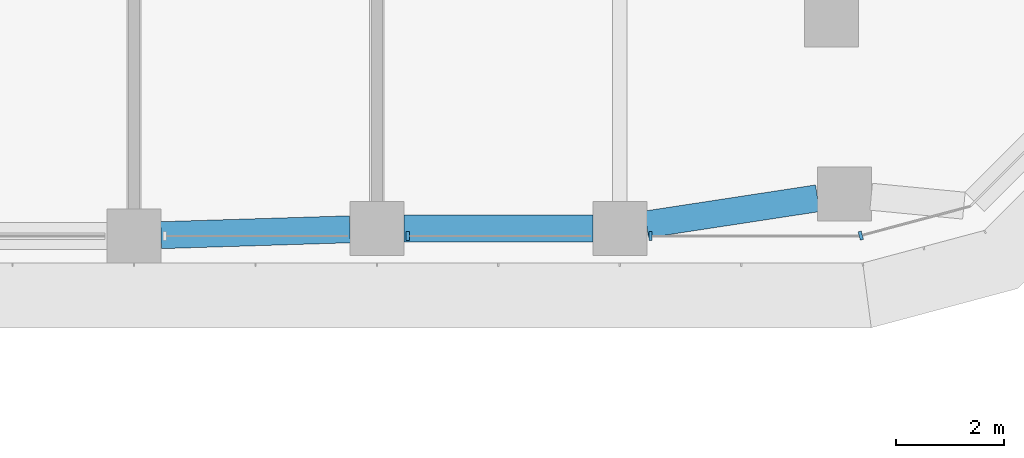
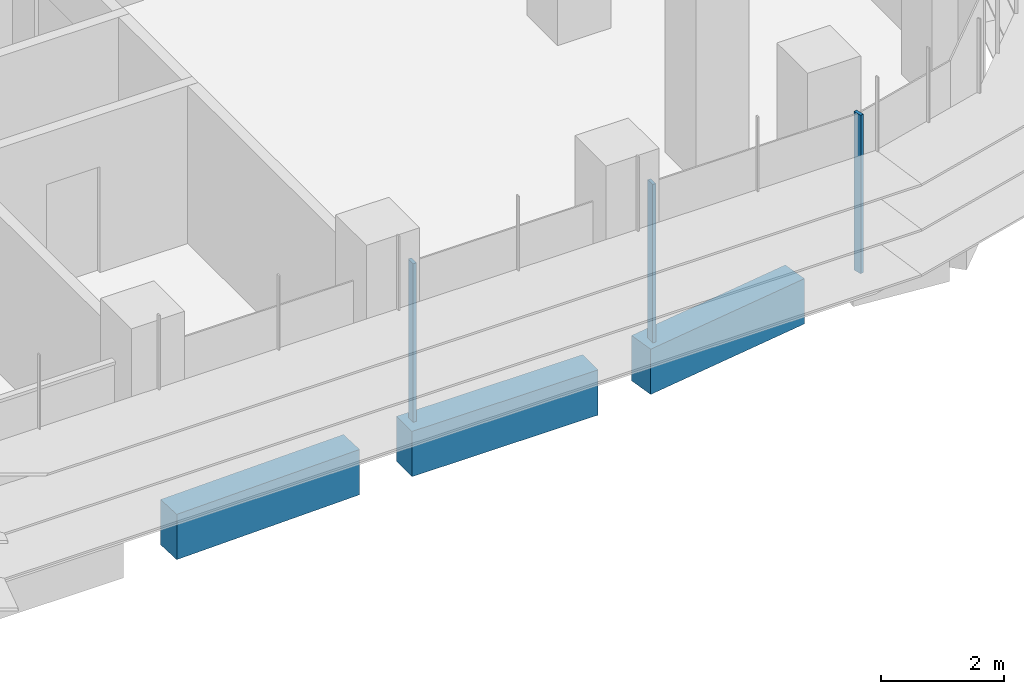
# One storey, part 5 of 23: 3 beams, 3 members, 2 elements without a shape of their own.
"""IFC4 building model written with IfcOpenShell, lengths in metres."""

from ifc_helpers import new_model, si_unit, direction, frame, origin, origin_2d, place, context, subcontext, project, spatial, polyline, rectangle, outline, extrude, source, transform, mapped, material, material_profile, profile_set, type_object, element, aggregate, save


model = new_model("IFC4")

# Units and contexts
model_context = context("Model", 3, precision=1e-05, world=origin(), true_north=direction((0.0, 1.0)))
body_context = subcontext(model_context, "Body", "Model", "MODEL_VIEW")
ifc_project = project(units=[si_unit("LENGTHUNIT", "METRE"), si_unit("AREAUNIT", "SQUARE_METRE"), si_unit("VOLUMEUNIT", "CUBIC_METRE"), si_unit("PLANEANGLEUNIT", "RADIAN"), si_unit("MASSUNIT", "GRAM", prefix="KILO")], contexts=[model_context])

# Site, building, storey
site_placement = place(None, origin())
site = spatial("IfcSite", under=ifc_project, at=site_placement, CompositionType="ELEMENT")
building_placement = place(site_placement, origin())
building = spatial("IfcBuilding", under=site, at=building_placement, Name="Zarbagh Exchange Tower", CompositionType="ELEMENT")
storey_placement = place(building_placement, frame((0.0, 0.0, 35.39990234375)))
storey = spatial("IfcBuildingStorey", under=building, at=storey_placement, Name="L07", CompositionType="ELEMENT", Elevation=35.39990234375)

# Beams
ifc_material_1 = material(Name="Concrete C60/75", Category="concrete")
ifc_material_profile = material_profile(ifc_material_1, rectangle(XDim=0.5, YDim=0.89990234375, at=origin_2d()), Name="RC spandrel beam 500 x 900 C60/75")
ifc_profile_set = profile_set([ifc_material_profile], Name="Concrete C60/75")
beam_type = type_object("IfcBeamType", Name="RC spandrel beam 500 x 900 C60/75", PredefinedType="SPANDREL", material=ifc_profile_set)
beam_1_placement = place(storey_placement, frame((28.413818359375, -5.550537109375, -0.599853515625), z_axis=(-0.988545350976, -0.150924116903, 0.0), x_axis=(0.150924116903, -0.988545350976, 0.0)))
element("IfcBeam", 1, at=beam_1_placement, inside=storey, type_object=beam_type, Name="RC spandrel beam", PredefinedType="SPANDREL", context=body_context, shape_type="SweptSolid", body=[
    extrude(rectangle(XDim=0.5, YDim=0.89990234375, at=origin_2d()), origin(), (0.0, 0.0, 1.0), 3.2060546875),
])
beam_2_placement = place(storey_placement, frame((24.25, -6.110107421875, -0.599853515625), z_axis=(-1.0, 0.0, 0.0), x_axis=(0.0, -1.0, 0.0)))
element("IfcBeam", 2, at=beam_2_placement, inside=storey, type_object=beam_type, Name="RC spandrel beam", PredefinedType="SPANDREL", context=body_context, shape_type="SweptSolid", body=[
    extrude(rectangle(XDim=0.5, YDim=0.89990234375, at=origin_2d()), origin(), (0.0, 0.0, 1.0), 3.5),
])
beam_3_placement = place(storey_placement, frame((19.750244140625, -6.12548828125, -0.599853515625), z_axis=(-0.999514385708, -0.031160756759, 0.0), x_axis=(0.031160756759, -0.999514385708, 0.0)))
element("IfcBeam", 3, at=beam_3_placement, inside=storey, type_object=beam_type, Name="RC spandrel beam", PredefinedType="SPANDREL", context=body_context, shape_type="SweptSolid", body=[
    extrude(rectangle(XDim=0.5, YDim=0.89990234375, at=origin_2d()), origin(), (0.0, 0.0, 1.0), 3.502197265625),
])

# Curtain wall, members
ifc_material_2 = material(Name="Anodised aluminium frame and glazing", Category="aluminium")
curtain_wall_type = type_object("IfcCurtainWallType", Name="CWA Ribbon glazing, lower zones", PredefinedType="NOTDEFINED", material=ifc_material_2)
curtain_wall_1_placement = place(storey_placement, origin())
curtain_wall_1 = element("IfcCurtainWall", 4, at=curtain_wall_1_placement, inside=storey, type_object=curtain_wall_type, Name="CWA08 curtain wall", PredefinedType="NOTDEFINED")
ifc_material_3 = material(Name="Anodised aluminium frame", Category="aluminium")
member_type = type_object("IfcMemberType", Name="MUA Mullion, anodised aluminium frame", PredefinedType="MULLION", material=ifc_material_3)
shared_shape = source(origin(), body_context, "Body", "SweptSolid", [
    extrude(outline(polyline([(0.0, -0.080078125), (0.06005859375, -0.080078125), (0.06005859375, 0.080078125), (0.0, 0.080078125), (0.0, -0.080078125)])), origin(), (0.0, 0.0, 1.0), 3.14990234375),
])
placement = place(storey_placement, origin())
member_1 = element("IfcMember", 5, at=placement, type_object=member_type, Name="CWA08 mullion 3.1", PredefinedType="MULLION", context=body_context, shape_type="MappedRepresentation", body=[
    mapped(shared_shape, transform((20.7900390625, -6.25, 0.0), x_axis=(1.0, 0.0, 0.0), y_axis=(0.0, 1.0, 0.0), z_axis=(0.0, 0.0, 1.0))),
])
member_2 = element("IfcMember", 6, at=placement, type_object=member_type, Name="CWA08 mullion 4.1", PredefinedType="MULLION", context=body_context, shape_type="MappedRepresentation", body=[
    mapped(shared_shape, transform((25.2900390625, -6.25, 0.0), x_axis=(1.0, 0.0, 0.0), y_axis=(0.0, 1.0, 0.0), z_axis=(0.0, 0.0, 1.0))),
])
aggregate(curtain_wall_1, [member_1, member_2])

# Curtain wall, member
curtain_wall_2_placement = place(storey_placement, origin())
curtain_wall_2 = element("IfcCurtainWall", 7, at=curtain_wall_2_placement, inside=storey, type_object=curtain_wall_type, Name="CWA09 curtain wall", PredefinedType="NOTDEFINED")
member_3 = element("IfcMember", 8, at=placement, type_object=member_type, Name="CWA09 mullion 1.1", PredefinedType="MULLION", context=body_context, shape_type="MappedRepresentation", body=[
    mapped(shared_shape, transform((29.18408203125, -6.25, 0.0), x_axis=(0.965924289636, 0.258824779902, 0.0), y_axis=(-0.258824779902, 0.965924289636, 0.0), z_axis=(0.0, 0.0, 1.0))),
])
aggregate(curtain_wall_2, [member_3])

save(model, "model.ifc")
